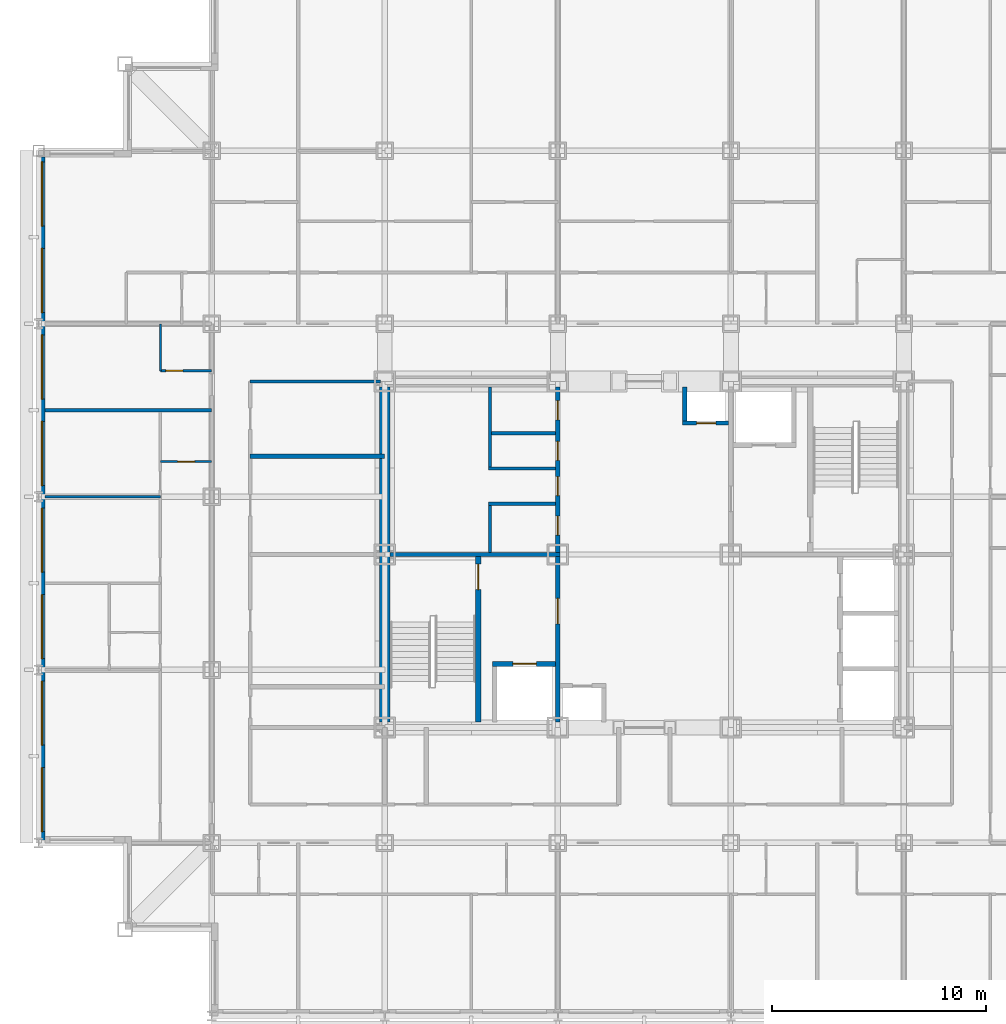
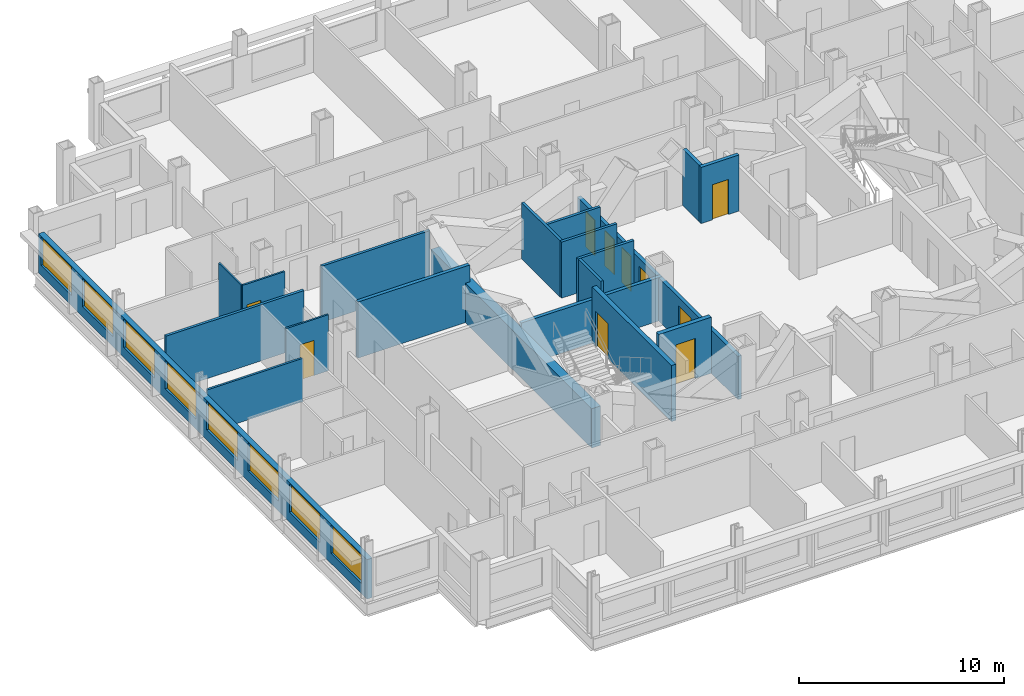
# One storey, part 6 of 12: 21 walls, 10 doors, 8 windows, 18 openings.
"""IFC4 building model written with IfcOpenShell, lengths in metres."""

import ifcopenshell
import ifcopenshell.guid

model = None  # the IFC model being written
_history = None  # IfcOwnerHistory: only IFC2X3 demands one
_inside = {}  # id of a spatial element -> (the spatial element, [elements in it])
_under = {}  # id of a project, library or spatial element -> (it, [spatial elements below it])
_declared = {}  # id of a project -> (the project, [libraries it declares])
_typed = {}  # id of a type object -> (the type object, [elements of that type])
_made_of = {}  # id of a material, layer set ... -> (it, [elements and type objects made of it])


def new_model(schema):
    """Start an empty IFC model of exactly this schema.

    Asked for "IFC4X3", IfcOpenShell would pick the latest addendum, in which some entities
    have other attributes; the version numbers below select the first issue.
    IFC2X3 requires an IfcOwnerHistory on every rooted entity: one is made here for all.
    """
    global model, _history
    if schema == "IFC4X3":
        model = ifcopenshell.file(schema_version=(4, 3, 0, 0))
    else:
        model = ifcopenshell.file(schema=schema)
    _inside.clear()
    _under.clear()
    _declared.clear()
    _typed.clear()
    _made_of.clear()
    _history = None
    if model.schema == "IFC2X3":
        org = make("IfcOrganization", Name="unknown")
        user = make(
            "IfcPersonAndOrganization",
            ThePerson=make("IfcPerson", FamilyName="unknown"),
            TheOrganization=org,
        )
        app = make(
            "IfcApplication",
            ApplicationDeveloper=org,
            Version="unknown",
            ApplicationFullName="unknown",
            ApplicationIdentifier="unknown",
        )
        _history = make(
            "IfcOwnerHistory",
            OwningUser=user,
            OwningApplication=app,
            ChangeAction="ADDED",
            CreationDate=0,
        )
    return model


def make(cls, **values):
    """One entity of the class cls with the attributes given. An attribute that is None is left unset."""
    return model.create_entity(
        cls, **{name: value for name, value in values.items() if value is not None}
    )


def rooted(cls, **values):
    """An entity with a GlobalId (a new one), such as an element, a storey or a relation."""
    return make(cls, GlobalId=ifcopenshell.guid.new(), OwnerHistory=_history, **values)


def si_unit(unit_type, name, prefix=None):
    """IfcSIUnit, for example si_unit("LENGTHUNIT", "METRE", prefix="MILLI")."""
    return make("IfcSIUnit", UnitType=unit_type, Prefix=prefix, Name=name)


def assignment(units):
    """IfcUnitAssignment: the units of a project."""
    return None if units is None else make("IfcUnitAssignment", Units=units)


def point(xyz):
    """IfcCartesianPoint."""
    return None if xyz is None else make("IfcCartesianPoint", Coordinates=xyz)


def direction(xyz):
    """IfcDirection."""
    return None if xyz is None else make("IfcDirection", DirectionRatios=xyz)


def frame(location, z_axis=None, x_axis=None):
    """IfcAxis2Placement3D, a coordinate frame: its origin and axes. An axis left out is left unset."""
    return make(
        "IfcAxis2Placement3D",
        Location=point(location),
        Axis=direction(z_axis),
        RefDirection=direction(x_axis),
    )


def frame_2d(location, x_axis=None):
    """IfcAxis2Placement2D, a coordinate frame in the plane: its origin and x axis."""
    return make(
        "IfcAxis2Placement2D", Location=point(location), RefDirection=direction(x_axis)
    )


def origin():
    """The frame at (0, 0, 0) with its axes left unset."""
    return frame((0.0, 0.0, 0.0))


def place(relative_to, where):
    """IfcLocalPlacement: puts the frame where relative to a parent placement (None: the world)."""
    return make(
        "IfcLocalPlacement", PlacementRelTo=relative_to, RelativePlacement=where
    )


def context(
    kind, dimensions, precision=None, world=None, true_north=None, identifier=None
):
    """IfcGeometricRepresentationContext, for example the 3D "Model" context."""
    return make(
        "IfcGeometricRepresentationContext",
        ContextIdentifier=identifier,
        ContextType=kind,
        CoordinateSpaceDimension=dimensions,
        Precision=precision,
        WorldCoordinateSystem=world,
        TrueNorth=true_north,
    )


def subcontext(parent, identifier, kind, view, scale=None):
    """IfcGeometricRepresentationSubContext, for example "Body" below "Model"."""
    return make(
        "IfcGeometricRepresentationSubContext",
        ContextIdentifier=identifier,
        ContextType=kind,
        ParentContext=parent,
        TargetScale=scale,
        TargetView=view,
    )


def project(units=None, contexts=None):
    """IfcProject with its units and contexts."""
    return rooted(
        "IfcProject",
        Name="project",
        RepresentationContexts=contexts,
        UnitsInContext=assignment(units),
    )


def spatial(cls, under=None, at=None, **own):
    """A site, building, storey or space (cls), placed at a placement, below another one or the project."""
    s = rooted(cls, ObjectPlacement=at, **own)
    if under is not None:
        _under.setdefault(under.id(), (under, []))[1].append(s)
    return s


def profile(cls, at=None, kind="AREA", **sizes):
    """A parametric profile (cls). Its sizes go by their IFC names, for example OverallWidth=200.0."""
    return make(cls, ProfileType=kind, Position=at, **sizes)


def rectangle(**sizes):
    """IfcRectangleProfileDef."""
    return profile("IfcRectangleProfileDef", **sizes)


def extrude(swept, where, along, depth):
    """IfcExtrudedAreaSolid: the profile swept, set in the frame where, extruded along a direction by depth."""
    return make(
        "IfcExtrudedAreaSolid",
        SweptArea=swept,
        Position=where,
        ExtrudedDirection=direction(along),
        Depth=depth,
    )


def shape(context_of_items, identifier, shape_type, items):
    """IfcShapeRepresentation: the items that make up one representation, for example the "Body"."""
    return make(
        "IfcShapeRepresentation",
        ContextOfItems=context_of_items,
        RepresentationIdentifier=identifier,
        RepresentationType=shape_type,
        Items=items,
    )


def material(Name=None, Category=None):
    """IfcMaterial."""
    return make("IfcMaterial", Name=Name, Category=Category)


def layer(
    of_material, thickness, ventilated=None, Name=None, Category=None, Priority=None
):
    """IfcMaterialLayer: one layer of a wall or slab, of a material (None: an air gap)."""
    return make(
        "IfcMaterialLayer",
        Material=of_material,
        LayerThickness=thickness,
        IsVentilated=ventilated,
        Name=Name,
        Category=Category,
        Priority=Priority,
    )


def layer_set(layers, Name=None):
    """IfcMaterialLayerSet."""
    return make("IfcMaterialLayerSet", MaterialLayers=layers, LayerSetName=Name)


def made_of(thing, what):
    """Note that an element or type object is made of a material, layer set ...; save() writes the relation."""
    if what is not None:
        _made_of.setdefault(what.id(), (what, []))[1].append(thing)
    return thing


def type_object(cls, material=None, **own):
    """A type object (cls), such as IfcWallType, which elements share."""
    return made_of(rooted(cls, **own), material)


def element(
    cls,
    number,
    at=None,
    inside=None,
    cuts=None,
    type_object=None,
    material=None,
    context=None,
    identifier="Body",
    shape_type=None,
    held_by="IfcProductDefinitionShape",
    body=None,
    shapes=None,
    **own,
):
    """One element of the class cls, such as IfcWall. Its Tag is "e" and its number.

    at: its placement. inside: the storey or other place that contains it. cuts: it is an
    opening in that element (IfcRelVoidsElement). A single representation is given by context,
    identifier, shape_type and body (its items); several are given by shapes. held_by: the class
    of the entity that holds the representations. save() writes the other relations.
    """
    e = rooted(cls, Tag="e%d" % number, ObjectPlacement=at, **own)
    if body is not None:
        shapes = [shape(context, identifier, shape_type, body)]
    if shapes is not None:
        e.Representation = make(held_by, Representations=shapes)
    if inside is not None:
        _inside.setdefault(inside.id(), (inside, []))[1].append(e)
    if cuts is not None:
        rooted(
            "IfcRelVoidsElement", RelatingBuildingElement=cuts, RelatedOpeningElement=e
        )
    if type_object is not None:
        _typed.setdefault(type_object.id(), (type_object, []))[1].append(e)
    return made_of(e, material)


def fill(opening, filler):
    """IfcRelFillsElement: the door or window that sits in an opening."""
    return rooted(
        "IfcRelFillsElement",
        RelatingOpeningElement=opening,
        RelatedBuildingElement=filler,
    )


def aggregate(whole, parts):
    """IfcRelAggregates: a whole, such as a stair, and the parts it consists of."""
    return rooted("IfcRelAggregates", RelatingObject=whole, RelatedObjects=parts)


def save(model, path):
    """Write the relations noted so far, then the file.

    IfcRelAggregates (storeys below a building ...), IfcRelContainedInSpatialStructure (elements
    in a storey), IfcRelDefinesByType, IfcRelAssociatesMaterial and IfcRelDeclares: one each for
    every whole, place, type object, material and project.
    """
    for whole, parts in _under.values():
        aggregate(whole, parts)
    for where, things in _inside.values():
        rooted(
            "IfcRelContainedInSpatialStructure",
            RelatedElements=things,
            RelatingStructure=where,
        )
    for kind, things in _typed.values():
        rooted("IfcRelDefinesByType", RelatedObjects=things, RelatingType=kind)
    for what, things in _made_of.values():
        rooted("IfcRelAssociatesMaterial", RelatedObjects=things, RelatingMaterial=what)
    for by, libraries in _declared.values():
        rooted("IfcRelDeclares", RelatingContext=by, RelatedDefinitions=libraries)
    model.write(path)


model = new_model("IFC4")

# Units and contexts
model_context = context("Model", 3, precision=1e-05, world=origin(), true_north=direction((0.0, 1.0)))
body_context = subcontext(model_context, "Body", "Model", "MODEL_VIEW")
ifc_project = project(units=[si_unit("LENGTHUNIT", "METRE"), si_unit("AREAUNIT", "SQUARE_METRE"), si_unit("VOLUMEUNIT", "CUBIC_METRE"), si_unit("PLANEANGLEUNIT", "RADIAN"), si_unit("MASSUNIT", "GRAM", prefix="KILO")], contexts=[model_context])

# Site, building, storey
site_placement = place(None, origin())
site = spatial("IfcSite", under=ifc_project, at=site_placement, CompositionType="ELEMENT")
building_placement = place(site_placement, origin())
building = spatial("IfcBuilding", under=site, at=building_placement, Name="Kopane Lantern Tower", CompositionType="ELEMENT")
storey_placement = place(building_placement, frame((0.0, 0.0, 231.60009765625)))
storey = spatial("IfcBuildingStorey", under=building, at=storey_placement, Name="L60", CompositionType="ELEMENT", Elevation=231.60009765625)

# Wall
ifc_material_1 = material(Name="Gypsum board on steel studs", Category="steel")
ifc_layer_1 = layer(ifc_material_1, 0.1201171875)
ifc_layer_set_1 = layer_set([ifc_layer_1], Name="APARTMENT INTERNAL WALL 120")
wall_type_1 = type_object("IfcWallType", Name="APARTMENT INTERNAL WALL 120", PredefinedType="PARTITIONING", material=ifc_layer_set_1)
wall_1_placement = place(storey_placement, frame((5.699951171875, 35.10009765625, 0.0), z_axis=(0.0, 0.0, 1.0), x_axis=(-1.0, 0.0, 0.0)))
element("IfcWall", 1, at=wall_1_placement, inside=storey, type_object=wall_type_1, Name="Apartment Internal Wall 120 L60", PredefinedType="PARTITIONING", context=body_context, shape_type="SweptSolid", body=[
    extrude(rectangle(XDim=5.39990234375, YDim=0.1201171875, at=frame_2d((2.699951171875, 0.0))), origin(), (0.0, 0.0, 1.0), 2.587646484375),
])

# Wall, opening, door
ifc_material_2 = material(Name="Moisture-resistant board on steel studs", Category="steel")
ifc_layer_2 = layer(ifc_material_2, 0.10009765625)
ifc_layer_set_2 = layer_set([ifc_layer_2], Name="BATHROOM WALL 100")
wall_type_2 = type_object("IfcWallType", Name="BATHROOM WALL 100", PredefinedType="PARTITIONING", material=ifc_layer_set_2)
wall_2_placement = place(storey_placement, frame((8.10009765625, 36.75, 0.0), z_axis=(0.0, 0.0, 1.0), x_axis=(-1.0, 0.0, 0.0)))
wall_2 = element("IfcWall", 2, at=wall_2_placement, inside=storey, type_object=wall_type_2, Name="Bathroom Wall 100 L60", PredefinedType="PARTITIONING", context=body_context, shape_type="SweptSolid", body=[
    extrude(rectangle(XDim=2.400146484375, YDim=0.10009765625, at=frame_2d((1.2001953125, 0.0))), origin(), (0.0, 0.0, 1.0), 3.349853515625),
])
opening_1_placement = place(wall_2_placement, frame((0.800048828125, 0.0, 0.0)))
opening_1 = element("IfcOpeningElement", 3, at=opening_1_placement, cuts=wall_2, Name="Opening L60-032", PredefinedType="OPENING", context=body_context, shape_type="SweptSolid", body=[
    extrude(rectangle(XDim=0.800048828125, YDim=2.10009765625, at=frame_2d((0.39990234375, 1.050048828125))), frame((0.0, 0.06005859375, 0.0), z_axis=(0.0, -1.0, 0.0), x_axis=(1.0, 0.0, 0.0)), (0.0, 0.0, 1.0), 0.1201171875),
])
ifc_material_3 = material(Name="Timber door set", Category="wood")
door_type_1 = type_object("IfcDoorType", Name="DOOR D2 800x2100", OperationType="SINGLE_SWING_LEFT", PredefinedType="DOOR", material=ifc_material_3)
door_1_placement = place(opening_1_placement, origin())
door_1 = element("IfcDoor", 4, at=door_1_placement, inside=storey, type_object=door_type_1, Name="Door L60-032", OperationType="SINGLE_SWING_RIGHT", OverallHeight=2.10009765625, OverallWidth=0.800048828125, PredefinedType="DOOR", context=body_context, shape_type="SweptSolid", body=[
    extrude(rectangle(XDim=0.800048828125, YDim=2.10009765625, at=frame_2d((0.39990234375, 1.050048828125))), frame((0.0, 0.02490234375, 0.0), z_axis=(0.0, -1.0, 0.0), x_axis=(1.0, 0.0, 0.0)), (0.0, 0.0, 1.0), 0.050048828125),
])
fill(opening_1, door_1)

# Wall
wall_3_placement = place(storey_placement, frame((5.699951171875, 41.0, 0.0), z_axis=(0.0, 0.0, 1.0), x_axis=(0.0, 1.0, 0.0)))
element("IfcWall", 5, at=wall_3_placement, inside=storey, type_object=wall_type_2, Name="Bathroom Wall 100 L60", PredefinedType="PARTITIONING", context=body_context, shape_type="SweptSolid", body=[
    extrude(rectangle(XDim=2.199951171875, YDim=0.10009765625, at=frame_2d((1.10009765625, 0.0))), origin(), (0.0, 0.0, 1.0), 3.349853515625),
])

# Wall, opening, door
wall_4_placement = place(storey_placement, frame((8.10009765625, 41.0, 0.0), z_axis=(0.0, 0.0, 1.0), x_axis=(-1.0, 0.0, 0.0)))
wall_4 = element("IfcWall", 6, at=wall_4_placement, inside=storey, type_object=wall_type_2, Name="Bathroom Wall 100 L60", PredefinedType="PARTITIONING", context=body_context, shape_type="SweptSolid", body=[
    extrude(rectangle(XDim=2.400146484375, YDim=0.10009765625, at=frame_2d((1.2001953125, 0.0))), origin(), (0.0, 0.0, 1.0), 3.349853515625),
])
opening_2_placement = place(wall_4_placement, frame((1.35009765625, 0.0, 0.0)))
opening_2 = element("IfcOpeningElement", 7, at=opening_2_placement, cuts=wall_4, Name="Opening L60-039", PredefinedType="OPENING", context=body_context, shape_type="SweptSolid", body=[
    extrude(rectangle(XDim=0.800048828125, YDim=2.10009765625, at=frame_2d((0.39990234375, 1.050048828125))), frame((0.0, 0.06005859375, 0.0), z_axis=(0.0, -1.0, 0.0), x_axis=(1.0, 0.0, 0.0)), (0.0, 0.0, 1.0), 0.1201171875),
])
door_2_placement = place(opening_2_placement, origin())
door_2 = element("IfcDoor", 8, at=door_2_placement, inside=storey, type_object=door_type_1, Name="Door L60-039", OperationType="SINGLE_SWING_LEFT", OverallHeight=2.10009765625, OverallWidth=0.800048828125, PredefinedType="DOOR", context=body_context, shape_type="SweptSolid", body=[
    extrude(rectangle(XDim=0.800048828125, YDim=2.10009765625, at=frame_2d((0.39990234375, 1.050048828125))), frame((0.0, 0.02490234375, 0.0), z_axis=(0.0, -1.0, 0.0), x_axis=(1.0, 0.0, 0.0)), (0.0, 0.0, 1.0), 0.050048828125),
])
fill(opening_2, door_2)

# Walls
ifc_material_4 = material(Name="Gypsum shaft wall EI 120", Category="gypsum")
ifc_layer_3 = layer(ifc_material_4, 0.5)
ifc_layer_set_3 = layer_set([ifc_layer_3], Name="CORE PERIMETER WALL 500 EI 120")
wall_type_3 = type_object("IfcWallType", Name="CORE PERIMETER WALL 500 EI 120", PredefinedType="SOLIDWALL", material=ifc_layer_set_3)
wall_5_placement = place(storey_placement, frame((16.199951171875, 24.550048828125, 0.0), z_axis=(0.0, 0.0, 1.0), x_axis=(0.0, 1.0, 0.0)))
element("IfcWall", 9, at=wall_5_placement, inside=storey, type_object=wall_type_3, Name="Core shaft wall L60 PW", PredefinedType="SOLIDWALL", context=body_context, shape_type="SweptSolid", body=[
    extrude(rectangle(XDim=15.699951171875, YDim=0.5, at=frame_2d((7.85009765625, 0.0))), origin(), (0.0, 0.0, 1.0), 2.349853515625),
])
ifc_material_5 = material(Name="Gypsum partition EI 60", Category="gypsum")
ifc_layer_4 = layer(ifc_material_5, 0.14990234375)
ifc_layer_set_4 = layer_set([ifc_layer_4], Name="CORE ROOM PARTITION 150 EI 60")
wall_type_4 = type_object("IfcWallType", Name="CORE ROOM PARTITION 150 EI 60", PredefinedType="PARTITIONING", material=ifc_layer_set_4)
for number, where, z_axis, x_axis, name in (
    (10, (21.050048828125, 34.77490234375, 0.0), (0.0, 0.0, 1.0), (1.0, 0.0, 0.0), "Core room partition L60 WW1"),
    (11, (21.050048828125, 36.425048828125, 0.0), (0.0, 0.0, 1.0), (1.0, 0.0, 0.0), "Core room partition L60 WW2"),
):
    element("IfcWall", number, at=place(storey_placement, frame(where, z_axis=z_axis, x_axis=x_axis)), inside=storey, type_object=wall_type_4, Name=name, PredefinedType="PARTITIONING", context=body_context, shape_type="SweptSolid", body=[
        extrude(rectangle(XDim=3.14990234375, YDim=0.14990234375, at=frame_2d((1.574951171875, 0.0))), origin(), (0.0, 0.0, 1.0), 3.349853515625),
    ])
wall_6_placement = place(storey_placement, frame((21.199951171875, 38.074951171875, 0.0), z_axis=(0.0, 0.0, 1.0), x_axis=(1.0, 0.0, 0.0)))
element("IfcWall", 12, at=wall_6_placement, inside=storey, type_object=wall_type_4, Name="Core room partition L60 WW3", PredefinedType="PARTITIONING", context=body_context, shape_type="SweptSolid", body=[
    extrude(rectangle(XDim=3.0, YDim=0.14990234375, at=frame_2d((1.5, 0.0))), origin(), (0.0, 0.0, 1.0), 3.349853515625),
])
wall_7_placement = place(storey_placement, frame((21.125, 32.5, 0.0), z_axis=(0.0, 0.0, 1.0), x_axis=(0.0, 1.0, 0.0)))
element("IfcWall", 13, at=wall_7_placement, inside=storey, type_object=wall_type_4, Name="Core room partition L60 WWB0", PredefinedType="PARTITIONING", context=body_context, shape_type="SweptSolid", body=[
    extrude(rectangle(XDim=2.199951171875, YDim=0.14990234375, at=frame_2d((1.10009765625, 0.0))), origin(), (0.0, 0.0, 1.0), 3.349853515625),
])
wall_8_placement = place(storey_placement, frame((21.125, 36.5, 0.0), z_axis=(0.0, 0.0, 1.0), x_axis=(0.0, 1.0, 0.0)))
element("IfcWall", 14, at=wall_8_placement, inside=storey, type_object=wall_type_4, Name="Core room partition L60 WWB1", PredefinedType="PARTITIONING", context=body_context, shape_type="SweptSolid", body=[
    extrude(rectangle(XDim=3.75, YDim=0.14990234375, at=frame_2d((1.875, 0.0))), origin(), (0.0, 0.0, 1.0), 3.349853515625),
])

# Wall, openings, doors
ifc_material_6 = material(Name="Gypsum partition EI 60", Category="gypsum")
ifc_layer_5 = layer(ifc_material_6, 0.199951171875)
ifc_layer_set_5 = layer_set([ifc_layer_5], Name="CORE ROOM WALL 200 EI 60")
wall_type_5 = type_object("IfcWallType", Name="CORE ROOM WALL 200 EI 60", PredefinedType="PARTITIONING", material=ifc_layer_set_5)
wall_9_placement = place(storey_placement, frame((24.300048828125, 32.5, 0.0), z_axis=(0.0, 0.0, 1.0), x_axis=(0.0, 1.0, 0.0)))
wall_9 = element("IfcWall", 15, at=wall_9_placement, inside=storey, type_object=wall_type_5, Name="Core room wall L60 XW", PredefinedType="PARTITIONING", context=body_context, shape_type="SweptSolid", body=[
    extrude(rectangle(XDim=7.75, YDim=0.199951171875, at=frame_2d((3.875, 0.0))), origin(), (0.0, 0.0, 1.0), 2.587646484375),
])
opening_3_placement = place(wall_9_placement, frame((0.800048828125, 0.0, 0.0)))
opening_3 = element("IfcOpeningElement", 16, at=opening_3_placement, cuts=wall_9, Name="Opening 60.C30", PredefinedType="OPENING", context=body_context, shape_type="SweptSolid", body=[
    extrude(rectangle(XDim=0.89990234375, YDim=2.10009765625, at=frame_2d((0.449951171875, 1.050048828125))), frame((0.0, 0.10986328125, 0.0), z_axis=(0.0, -1.0, 0.0), x_axis=(1.0, 0.0, 0.0)), (0.0, 0.0, 1.0), 0.219970703125),
])
opening_4_placement = place(wall_9_placement, frame((2.64990234375, 0.0, 0.0)))
opening_4 = element("IfcOpeningElement", 17, at=opening_4_placement, cuts=wall_9, Name="Opening 60.C31", PredefinedType="OPENING", context=body_context, shape_type="SweptSolid", body=[
    extrude(rectangle(XDim=0.89990234375, YDim=2.10009765625, at=frame_2d((0.449951171875, 1.050048828125))), frame((0.0, 0.10986328125, 0.0), z_axis=(0.0, -1.0, 0.0), x_axis=(1.0, 0.0, 0.0)), (0.0, 0.0, 1.0), 0.219970703125),
])
opening_5_placement = place(wall_9_placement, frame((4.300048828125, 0.0, 0.0)))
opening_5 = element("IfcOpeningElement", 18, at=opening_5_placement, cuts=wall_9, Name="Opening 60.C32", PredefinedType="OPENING", context=body_context, shape_type="SweptSolid", body=[
    extrude(rectangle(XDim=0.89990234375, YDim=2.10009765625, at=frame_2d((0.449951171875, 1.050048828125))), frame((0.0, 0.10986328125, 0.0), z_axis=(0.0, -1.0, 0.0), x_axis=(1.0, 0.0, 0.0)), (0.0, 0.0, 1.0), 0.219970703125),
])
opening_6_placement = place(wall_9_placement, frame((6.199951171875, 0.0, 0.0)))
opening_6 = element("IfcOpeningElement", 19, at=opening_6_placement, cuts=wall_9, Name="Opening 60.C33", PredefinedType="OPENING", context=body_context, shape_type="SweptSolid", body=[
    extrude(rectangle(XDim=0.89990234375, YDim=2.10009765625, at=frame_2d((0.449951171875, 1.050048828125))), frame((0.0, 0.10986328125, 0.0), z_axis=(0.0, -1.0, 0.0), x_axis=(1.0, 0.0, 0.0)), (0.0, 0.0, 1.0), 0.219970703125),
])
ifc_material_7 = material(Name="Steel door set", Category="steel")
door_type_2 = type_object("IfcDoorType", Name="CORE ROOM DOOR 900x2100 FD60", OperationType="SINGLE_SWING_LEFT", PredefinedType="DOOR", material=ifc_material_7)
door_3_placement = place(opening_3_placement, origin())
door_3 = element("IfcDoor", 20, at=door_3_placement, inside=storey, type_object=door_type_2, Name="Door Refuse room L60", OperationType="SINGLE_SWING_RIGHT", OverallHeight=2.10009765625, OverallWidth=0.89990234375, PredefinedType="DOOR", context=body_context, shape_type="SweptSolid", body=[
    extrude(rectangle(XDim=0.89990234375, YDim=2.10009765625, at=frame_2d((0.449951171875, 1.050048828125))), frame((0.0, 0.02490234375, 0.0), z_axis=(0.0, -1.0, 0.0), x_axis=(1.0, 0.0, 0.0)), (0.0, 0.0, 1.0), 0.050048828125),
])
fill(opening_3, door_3)
door_4_placement = place(opening_4_placement, origin())
door_4 = element("IfcDoor", 21, at=door_4_placement, inside=storey, type_object=door_type_2, Name="Door Residents storage L60", OperationType="SINGLE_SWING_RIGHT", OverallHeight=2.10009765625, OverallWidth=0.89990234375, PredefinedType="DOOR", context=body_context, shape_type="SweptSolid", body=[
    extrude(rectangle(XDim=0.89990234375, YDim=2.10009765625, at=frame_2d((0.449951171875, 1.050048828125))), frame((0.0, 0.02490234375, 0.0), z_axis=(0.0, -1.0, 0.0), x_axis=(1.0, 0.0, 0.0)), (0.0, 0.0, 1.0), 0.050048828125),
])
fill(opening_4, door_4)
door_5_placement = place(opening_5_placement, origin())
door_5 = element("IfcDoor", 22, at=door_5_placement, inside=storey, type_object=door_type_2, Name="Door Cleaner store L60", OperationType="SINGLE_SWING_LEFT", OverallHeight=2.10009765625, OverallWidth=0.89990234375, PredefinedType="DOOR", context=body_context, shape_type="SweptSolid", body=[
    extrude(rectangle(XDim=0.89990234375, YDim=2.10009765625, at=frame_2d((0.449951171875, 1.050048828125))), frame((0.0, 0.02490234375, 0.0), z_axis=(0.0, -1.0, 0.0), x_axis=(1.0, 0.0, 0.0)), (0.0, 0.0, 1.0), 0.050048828125),
])
fill(opening_5, door_5)
door_6_placement = place(opening_6_placement, origin())
door_6 = element("IfcDoor", 23, at=door_6_placement, inside=storey, type_object=door_type_2, Name="Door IT room L60", OperationType="SINGLE_SWING_LEFT", OverallHeight=2.10009765625, OverallWidth=0.89990234375, PredefinedType="DOOR", context=body_context, shape_type="SweptSolid", body=[
    extrude(rectangle(XDim=0.89990234375, YDim=2.10009765625, at=frame_2d((0.449951171875, 1.050048828125))), frame((0.0, 0.02490234375, 0.0), z_axis=(0.0, -1.0, 0.0), x_axis=(1.0, 0.0, 0.0)), (0.0, 0.0, 1.0), 0.050048828125),
])
fill(opening_6, door_6)

# Wall, opening, door
ifc_material_8 = material(Name="Gypsum shaft wall EI 120", Category="gypsum")
ifc_layer_6 = layer(ifc_material_8, 0.25)
ifc_layer_set_6 = layer_set([ifc_layer_6], Name="CORE SHAFT WALL 250 EI 120")
wall_type_6 = type_object("IfcWallType", Name="CORE SHAFT WALL 250 EI 120", PredefinedType="SOLIDWALL", material=ifc_layer_set_6)
wall_10_placement = place(storey_placement, frame((20.574951171875, 24.550048828125, 0.0), z_axis=(0.0, 0.0, 1.0), x_axis=(0.0, 1.0, 0.0)))
wall_10 = element("IfcWall", 24, at=wall_10_placement, inside=storey, type_object=wall_type_6, Name="Core shaft wall L60 XST1", PredefinedType="SOLIDWALL", context=body_context, shape_type="SweptSolid", body=[
    extrude(rectangle(XDim=7.75, YDim=0.25, at=frame_2d((3.875, 0.0))), origin(), (0.0, 0.0, 1.0), 3.349853515625),
])
opening_7_placement = place(wall_10_placement, frame((6.199951171875, 0.0, 0.0)))
opening_7 = element("IfcOpeningElement", 25, at=opening_7_placement, cuts=wall_10, Name="Opening 60.SD1", PredefinedType="OPENING", context=body_context, shape_type="SweptSolid", body=[
    extrude(rectangle(XDim=1.199951171875, YDim=2.10009765625, at=frame_2d((0.60009765625, 1.050048828125))), frame((0.0, 0.135009765625, 0.0), z_axis=(0.0, -1.0, 0.0), x_axis=(1.0, 0.0, 0.0)), (0.0, 0.0, 1.0), 0.27001953125),
])
ifc_material_9 = material(Name="Steel door set", Category="steel")
door_type_3 = type_object("IfcDoorType", Name="STAIR DOOR 1200x2100 FD60S", OperationType="SINGLE_SWING_LEFT", PredefinedType="DOOR", material=ifc_material_9)
door_7_placement = place(opening_7_placement, origin())
door_7 = element("IfcDoor", 26, at=door_7_placement, inside=storey, type_object=door_type_3, Name="Stair door ST1 L60", OperationType="SINGLE_SWING_LEFT", OverallHeight=2.10009765625, OverallWidth=1.199951171875, PredefinedType="DOOR", context=body_context, shape_type="SweptSolid", body=[
    extrude(rectangle(XDim=1.199951171875, YDim=2.10009765625, at=frame_2d((0.60009765625, 1.050048828125))), frame((0.0, 0.02490234375, 0.0), z_axis=(0.0, -1.0, 0.0), x_axis=(1.0, 0.0, 0.0)), (0.0, 0.0, 1.0), 0.050048828125),
])
fill(opening_7, door_7)

wall_11_placement = place(storey_placement, frame((21.25, 27.27490234375, 0.0), z_axis=(0.0, 0.0, 1.0), x_axis=(1.0, 0.0, 0.0)))
wall_11 = element("IfcWall", 27, at=wall_11_placement, inside=storey, type_object=wall_type_6, Name="Core shaft wall L60 YLF1", PredefinedType="SOLIDWALL", context=body_context, shape_type="SweptSolid", body=[
    extrude(rectangle(XDim=2.949951171875, YDim=0.25, at=frame_2d((1.47509765625, 0.0))), origin(), (0.0, 0.0, 1.0), 3.349853515625),
])
opening_8_placement = place(wall_11_placement, frame((0.949951171875, 0.0, 0.0)))
opening_8 = element("IfcOpeningElement", 28, at=opening_8_placement, cuts=wall_11, Name="Opening 60.LD-LF1", PredefinedType="OPENING", context=body_context, shape_type="SweptSolid", body=[
    extrude(rectangle(XDim=1.10009765625, YDim=2.39990234375, at=frame_2d((0.550048828125, 1.199951171875))), frame((0.0, 0.135009765625, 0.0), z_axis=(0.0, -1.0, 0.0), x_axis=(1.0, 0.0, 0.0)), (0.0, 0.0, 1.0), 0.27001953125),
])
ifc_material_10 = material(Name="Steel door set", Category="steel")
door_type_4 = type_object("IfcDoorType", Name="LIFT LANDING DOOR 1100x2400 FD60", OperationType="DOUBLE_DOOR_SLIDING", PredefinedType="DOOR", material=ifc_material_10)
door_8_placement = place(opening_8_placement, origin())
door_8 = element("IfcDoor", 29, at=door_8_placement, inside=storey, type_object=door_type_4, Name="Landing door LF1 L60", OperationType="DOUBLE_DOOR_SLIDING", OverallHeight=2.39990234375, OverallWidth=1.10009765625, PredefinedType="DOOR", context=body_context, shape_type="SweptSolid", body=[
    extrude(rectangle(XDim=1.10009765625, YDim=2.39990234375, at=frame_2d((0.550048828125, 1.199951171875))), frame((0.0, 0.02490234375, 0.0), z_axis=(0.0, -1.0, 0.0), x_axis=(1.0, 0.0, 0.0)), (0.0, 0.0, 1.0), 0.050048828125),
])
fill(opening_8, door_8)

# Walls
ifc_material_11 = material(Name="Gypsum board on steel studs", Category="steel")
ifc_layer_7 = layer(ifc_material_11, 0.14990234375)
ifc_layer_set_7 = layer_set([ifc_layer_7], Name="CORRIDOR WALL 150 EI 60")
wall_type_7 = type_object("IfcWallType", Name="CORRIDOR WALL 150 EI 60", PredefinedType="PARTITIONING", material=ifc_layer_set_7)
wall_12_placement = place(storey_placement, frame((16.0, 40.5, 0.0), z_axis=(0.0, 0.0, 1.0), x_axis=(-1.0, 0.0, 0.0)))
element("IfcWall", 30, at=wall_12_placement, inside=storey, type_object=wall_type_7, Name="Corridor Wall 150 Ei 60 L60", PredefinedType="PARTITIONING", context=body_context, shape_type="SweptSolid", body=[
    extrude(rectangle(XDim=6.10009765625, YDim=0.14990234375, at=frame_2d((3.050048828125, 0.0))), origin(), (0.0, 0.0, 1.0), 3.349853515625),
])
ifc_material_12 = material(Name="Gypsum board on steel studs", Category="steel")
ifc_layer_8 = layer(ifc_material_12, 0.14990234375)
ifc_layer_set_8 = layer_set([ifc_layer_8], Name="DEMISING WALL 150 EI 60")
wall_type_8 = type_object("IfcWallType", Name="DEMISING WALL 150 EI 60", PredefinedType="PARTITIONING", material=ifc_layer_set_8)
wall_13_placement = place(storey_placement, frame((8.10009765625, 39.14990234375, 0.0), z_axis=(0.0, 0.0, 1.0), x_axis=(-1.0, 0.0, 0.0)))
element("IfcWall", 31, at=wall_13_placement, inside=storey, type_object=wall_type_8, Name="Demising Wall 150 Ei 60 L60", PredefinedType="PARTITIONING", context=body_context, shape_type="SweptSolid", body=[
    extrude(rectangle(XDim=7.800048828125, YDim=0.14990234375, at=frame_2d((3.89990234375, 0.0))), origin(), (0.0, 0.0, 1.0), 3.349853515625),
])

# Wall, openings, windows
ifc_material_13 = material(Name="Terracotta rainscreen on light steel framing", Category="masonry")
ifc_layer_9 = layer(ifc_material_13, 0.300048828125)
ifc_layer_set_9 = layer_set([ifc_layer_9], Name="EXTERNAL WALL EW1 300 TERRACOTTA")
wall_type_9 = type_object("IfcWallType", Name="EXTERNAL WALL EW1 300 TERRACOTTA", PredefinedType="SOLIDWALL", material=ifc_layer_set_9)
wall_14_placement = place(storey_placement, frame((0.14990234375, 51.0, 0.0), z_axis=(0.0, 0.0, 1.0), x_axis=(0.0, -1.0, 0.0)))
wall_14 = element("IfcWall", 32, at=wall_14_placement, inside=storey, type_object=wall_type_9, Name="External wall W L60", PredefinedType="SOLIDWALL", context=body_context, shape_type="SweptSolid", body=[
    extrude(rectangle(XDim=32.10009765625, YDim=0.300048828125, at=frame_2d((16.050048828125, 0.0))), origin(), (0.0, 0.0, 1.0), 2.349853515625),
])
opening_9_placement = place(wall_14_placement, frame((0.22509765625, 0.0, 0.60009765625)))
opening_9 = element("IfcOpeningElement", 33, at=opening_9_placement, cuts=wall_14, Name="Opening WR300170", PredefinedType="OPENING", context=body_context, shape_type="SweptSolid", body=[
    extrude(rectangle(XDim=3.0, YDim=1.699951171875, at=frame_2d((1.5, 0.85009765625))), frame((0.0, 0.159912109375, 0.0), z_axis=(0.0, -1.0, 0.0), x_axis=(1.0, 0.0, 0.0)), (0.0, 0.0, 1.0), 0.320068359375),
])
opening_10_placement = place(wall_14_placement, frame((4.27490234375, 0.0, 0.60009765625)))
opening_10 = element("IfcOpeningElement", 34, at=opening_10_placement, cuts=wall_14, Name="Opening WR300170", PredefinedType="OPENING", context=body_context, shape_type="SweptSolid", body=[
    extrude(rectangle(XDim=3.0, YDim=1.699951171875, at=frame_2d((1.5, 0.85009765625))), frame((0.0, 0.159912109375, 0.0), z_axis=(0.0, -1.0, 0.0), x_axis=(1.0, 0.0, 0.0)), (0.0, 0.0, 1.0), 0.320068359375),
])
opening_11_placement = place(wall_14_placement, frame((8.324951171875, 0.0, 0.60009765625)))
opening_11 = element("IfcOpeningElement", 35, at=opening_11_placement, cuts=wall_14, Name="Opening WR300170", PredefinedType="OPENING", context=body_context, shape_type="SweptSolid", body=[
    extrude(rectangle(XDim=3.0, YDim=1.699951171875, at=frame_2d((1.5, 0.85009765625))), frame((0.0, 0.159912109375, 0.0), z_axis=(0.0, -1.0, 0.0), x_axis=(1.0, 0.0, 0.0)), (0.0, 0.0, 1.0), 0.320068359375),
])
opening_12_placement = place(wall_14_placement, frame((12.375, 0.0, 0.60009765625)))
opening_12 = element("IfcOpeningElement", 36, at=opening_12_placement, cuts=wall_14, Name="Opening WR300170", PredefinedType="OPENING", context=body_context, shape_type="SweptSolid", body=[
    extrude(rectangle(XDim=3.0, YDim=1.699951171875, at=frame_2d((1.5, 0.85009765625))), frame((0.0, 0.159912109375, 0.0), z_axis=(0.0, -1.0, 0.0), x_axis=(1.0, 0.0, 0.0)), (0.0, 0.0, 1.0), 0.320068359375),
])
opening_13_placement = place(wall_14_placement, frame((16.425048828125, 0.0, 0.60009765625)))
opening_13 = element("IfcOpeningElement", 37, at=opening_13_placement, cuts=wall_14, Name="Opening WR300170", PredefinedType="OPENING", context=body_context, shape_type="SweptSolid", body=[
    extrude(rectangle(XDim=3.0, YDim=1.699951171875, at=frame_2d((1.5, 0.85009765625))), frame((0.0, 0.159912109375, 0.0), z_axis=(0.0, -1.0, 0.0), x_axis=(1.0, 0.0, 0.0)), (0.0, 0.0, 1.0), 0.320068359375),
])
opening_14_placement = place(wall_14_placement, frame((20.47509765625, 0.0, 0.60009765625)))
opening_14 = element("IfcOpeningElement", 38, at=opening_14_placement, cuts=wall_14, Name="Opening WR300170", PredefinedType="OPENING", context=body_context, shape_type="SweptSolid", body=[
    extrude(rectangle(XDim=3.0, YDim=1.699951171875, at=frame_2d((1.5, 0.85009765625))), frame((0.0, 0.159912109375, 0.0), z_axis=(0.0, -1.0, 0.0), x_axis=(1.0, 0.0, 0.0)), (0.0, 0.0, 1.0), 0.320068359375),
])
opening_15_placement = place(wall_14_placement, frame((24.52490234375, 0.0, 0.60009765625)))
opening_15 = element("IfcOpeningElement", 39, at=opening_15_placement, cuts=wall_14, Name="Opening WR300170", PredefinedType="OPENING", context=body_context, shape_type="SweptSolid", body=[
    extrude(rectangle(XDim=3.0, YDim=1.699951171875, at=frame_2d((1.5, 0.85009765625))), frame((0.0, 0.159912109375, 0.0), z_axis=(0.0, -1.0, 0.0), x_axis=(1.0, 0.0, 0.0)), (0.0, 0.0, 1.0), 0.320068359375),
])
opening_16_placement = place(wall_14_placement, frame((28.574951171875, 0.0, 0.60009765625)))
opening_16 = element("IfcOpeningElement", 40, at=opening_16_placement, cuts=wall_14, Name="Opening WR300170", PredefinedType="OPENING", context=body_context, shape_type="SweptSolid", body=[
    extrude(rectangle(XDim=3.0, YDim=1.699951171875, at=frame_2d((1.5, 0.85009765625))), frame((0.0, 0.159912109375, 0.0), z_axis=(0.0, -1.0, 0.0), x_axis=(1.0, 0.0, 0.0)), (0.0, 0.0, 1.0), 0.320068359375),
])
ifc_material_14 = material(Name="Aluminium and clear glass", Category="aluminium")
window_type = type_object("IfcWindowType", Name="RIBBON WINDOW WR300170 3000x1700", PartitioningType="SINGLE_PANEL", PredefinedType="WINDOW", material=ifc_material_14)
window_1_placement = place(opening_9_placement, origin())
window_1 = element("IfcWindow", 41, at=window_1_placement, inside=storey, type_object=window_type, Name="Window W L60", OverallHeight=1.699951171875, OverallWidth=3.0, PartitioningType="SINGLE_PANEL", PredefinedType="WINDOW", context=body_context, shape_type="SweptSolid", body=[
    extrude(rectangle(XDim=3.0, YDim=1.699951171875, at=frame_2d((1.5, 0.85009765625))), frame((0.0, 0.030029296875, 0.0), z_axis=(0.0, -1.0, 0.0), x_axis=(1.0, 0.0, 0.0)), (0.0, 0.0, 1.0), 0.06005859375),
])
fill(opening_9, window_1)
window_2_placement = place(opening_10_placement, origin())
window_2 = element("IfcWindow", 42, at=window_2_placement, inside=storey, type_object=window_type, Name="Window W L60", OverallHeight=1.699951171875, OverallWidth=3.0, PartitioningType="SINGLE_PANEL", PredefinedType="WINDOW", context=body_context, shape_type="SweptSolid", body=[
    extrude(rectangle(XDim=3.0, YDim=1.699951171875, at=frame_2d((1.5, 0.85009765625))), frame((0.0, 0.030029296875, 0.0), z_axis=(0.0, -1.0, 0.0), x_axis=(1.0, 0.0, 0.0)), (0.0, 0.0, 1.0), 0.06005859375),
])
fill(opening_10, window_2)
window_3_placement = place(opening_11_placement, origin())
window_3 = element("IfcWindow", 43, at=window_3_placement, inside=storey, type_object=window_type, Name="Window W L60", OverallHeight=1.699951171875, OverallWidth=3.0, PartitioningType="SINGLE_PANEL", PredefinedType="WINDOW", context=body_context, shape_type="SweptSolid", body=[
    extrude(rectangle(XDim=3.0, YDim=1.699951171875, at=frame_2d((1.5, 0.85009765625))), frame((0.0, 0.030029296875, 0.0), z_axis=(0.0, -1.0, 0.0), x_axis=(1.0, 0.0, 0.0)), (0.0, 0.0, 1.0), 0.06005859375),
])
fill(opening_11, window_3)
window_4_placement = place(opening_12_placement, origin())
window_4 = element("IfcWindow", 44, at=window_4_placement, inside=storey, type_object=window_type, Name="Window W L60", OverallHeight=1.699951171875, OverallWidth=3.0, PartitioningType="SINGLE_PANEL", PredefinedType="WINDOW", context=body_context, shape_type="SweptSolid", body=[
    extrude(rectangle(XDim=3.0, YDim=1.699951171875, at=frame_2d((1.5, 0.85009765625))), frame((0.0, 0.030029296875, 0.0), z_axis=(0.0, -1.0, 0.0), x_axis=(1.0, 0.0, 0.0)), (0.0, 0.0, 1.0), 0.06005859375),
])
fill(opening_12, window_4)
window_5_placement = place(opening_13_placement, origin())
window_5 = element("IfcWindow", 45, at=window_5_placement, inside=storey, type_object=window_type, Name="Window W L60", OverallHeight=1.699951171875, OverallWidth=3.0, PartitioningType="SINGLE_PANEL", PredefinedType="WINDOW", context=body_context, shape_type="SweptSolid", body=[
    extrude(rectangle(XDim=3.0, YDim=1.699951171875, at=frame_2d((1.5, 0.85009765625))), frame((0.0, 0.030029296875, 0.0), z_axis=(0.0, -1.0, 0.0), x_axis=(1.0, 0.0, 0.0)), (0.0, 0.0, 1.0), 0.06005859375),
])
fill(opening_13, window_5)
window_6_placement = place(opening_14_placement, origin())
window_6 = element("IfcWindow", 46, at=window_6_placement, inside=storey, type_object=window_type, Name="Window W L60", OverallHeight=1.699951171875, OverallWidth=3.0, PartitioningType="SINGLE_PANEL", PredefinedType="WINDOW", context=body_context, shape_type="SweptSolid", body=[
    extrude(rectangle(XDim=3.0, YDim=1.699951171875, at=frame_2d((1.5, 0.85009765625))), frame((0.0, 0.030029296875, 0.0), z_axis=(0.0, -1.0, 0.0), x_axis=(1.0, 0.0, 0.0)), (0.0, 0.0, 1.0), 0.06005859375),
])
fill(opening_14, window_6)
window_7_placement = place(opening_15_placement, origin())
window_7 = element("IfcWindow", 47, at=window_7_placement, inside=storey, type_object=window_type, Name="Window W L60", OverallHeight=1.699951171875, OverallWidth=3.0, PartitioningType="SINGLE_PANEL", PredefinedType="WINDOW", context=body_context, shape_type="SweptSolid", body=[
    extrude(rectangle(XDim=3.0, YDim=1.699951171875, at=frame_2d((1.5, 0.85009765625))), frame((0.0, 0.030029296875, 0.0), z_axis=(0.0, -1.0, 0.0), x_axis=(1.0, 0.0, 0.0)), (0.0, 0.0, 1.0), 0.06005859375),
])
fill(opening_15, window_7)
window_8_placement = place(opening_16_placement, origin())
window_8 = element("IfcWindow", 48, at=window_8_placement, inside=storey, type_object=window_type, Name="Window W L60", OverallHeight=1.699951171875, OverallWidth=3.0, PartitioningType="SINGLE_PANEL", PredefinedType="WINDOW", context=body_context, shape_type="SweptSolid", body=[
    extrude(rectangle(XDim=3.0, YDim=1.699951171875, at=frame_2d((1.5, 0.85009765625))), frame((0.0, 0.030029296875, 0.0), z_axis=(0.0, -1.0, 0.0), x_axis=(1.0, 0.0, 0.0)), (0.0, 0.0, 1.0), 0.06005859375),
])
fill(opening_16, window_8)

# Walls
ifc_material_15 = material(Name="Concrete masonry", Category="masonry")
ifc_layer_10 = layer(ifc_material_15, 0.199951171875)
ifc_layer_set_10 = layer_set([ifc_layer_10], Name="PLANT ROOM WALL 200 EI 120")
wall_type_10 = type_object("IfcWallType", Name="PLANT ROOM WALL 200 EI 120", PredefinedType="SOLIDWALL", material=ifc_layer_set_10)
wall_15_placement = place(storey_placement, frame((9.89990234375, 37.003173828125, 0.0), z_axis=(0.0, 0.0, 1.0), x_axis=(1.0, 0.0, 0.0)))
element("IfcWall", 49, at=wall_15_placement, inside=storey, type_object=wall_type_10, Name="Plant Room Wall 200 Ei 120 L60", PredefinedType="SOLIDWALL", context=body_context, shape_type="SweptSolid", body=[
    extrude(rectangle(XDim=6.300048828125, YDim=0.199951171875, at=frame_2d((3.14990234375, 0.0))), origin(), (0.0, 0.0, 1.0), 3.349853515625),
])
ifc_material_16 = material(Name="Gypsum shaft wall EI 120", Category="gypsum")
ifc_layer_11 = layer(ifc_material_16, 0.199951171875)
ifc_layer_set_11 = layer_set([ifc_layer_11], Name="SHAFT WALL 200 EI 120")
wall_type_11 = type_object("IfcWallType", Name="SHAFT WALL 200 EI 120", PredefinedType="SOLIDWALL", material=ifc_layer_set_11)
wall_16_placement = place(storey_placement, frame((16.449951171875, 32.39990234375, 0.0), z_axis=(0.0, 0.0, 1.0), x_axis=(1.0, 0.0, 0.0)))
element("IfcWall", 50, at=wall_16_placement, inside=storey, type_object=wall_type_11, Name="Core shaft wall L60 Y324W", PredefinedType="SOLIDWALL", context=body_context, shape_type="SweptSolid", body=[
    extrude(rectangle(XDim=7.949951171875, YDim=0.199951171875, at=frame_2d((3.97509765625, 0.0))), origin(), (0.0, 0.0, 1.0), 2.587646484375),
])

# Wall, opening, door
wall_17_placement = place(storey_placement, frame((24.300048828125, 24.550048828125, 0.0), z_axis=(0.0, 0.0, 1.0), x_axis=(0.0, 1.0, 0.0)))
wall_17 = element("IfcWall", 51, at=wall_17_placement, inside=storey, type_object=wall_type_11, Name="Core shaft wall L60 X243", PredefinedType="SOLIDWALL", context=body_context, shape_type="SweptSolid", body=[
    extrude(rectangle(XDim=7.75, YDim=0.199951171875, at=frame_2d((3.875, 0.0))), origin(), (0.0, 0.0, 1.0), 2.587646484375),
])
opening_17_placement = place(wall_17_placement, frame((4.60009765625, 0.0, 0.0)))
opening_17 = element("IfcOpeningElement", 52, at=opening_17_placement, cuts=wall_17, Name="Opening 60.FL1", PredefinedType="OPENING", context=body_context, shape_type="SweptSolid", body=[
    extrude(rectangle(XDim=1.199951171875, YDim=2.10009765625, at=frame_2d((0.60009765625, 1.050048828125))), frame((0.0, 0.10986328125, 0.0), z_axis=(0.0, -1.0, 0.0), x_axis=(1.0, 0.0, 0.0)), (0.0, 0.0, 1.0), 0.219970703125),
])
ifc_material_17 = material(Name="Steel door set", Category="steel")
door_type_5 = type_object("IfcDoorType", Name="FIREFIGHTING LOBBY DOOR 1200x2100 FD60S", OperationType="SINGLE_SWING_RIGHT", PredefinedType="DOOR", material=ifc_material_17)
door_9_placement = place(opening_17_placement, origin())
door_9 = element("IfcDoor", 53, at=door_9_placement, inside=storey, type_object=door_type_5, Name="Firefighting lobby door FL1 L60", OperationType="SINGLE_SWING_LEFT", OverallHeight=2.10009765625, OverallWidth=1.199951171875, PredefinedType="DOOR", context=body_context, shape_type="SweptSolid", body=[
    extrude(rectangle(XDim=1.199951171875, YDim=2.10009765625, at=frame_2d((0.60009765625, 1.050048828125))), frame((0.0, 0.02490234375, 0.0), z_axis=(0.0, -1.0, 0.0), x_axis=(1.0, 0.0, 0.0)), (0.0, 0.0, 1.0), 0.050048828125),
])
fill(opening_17, door_9)

# Wall
wall_18_placement = place(storey_placement, frame((30.25, 38.64990234375, 0.0), z_axis=(0.0, 0.0, 1.0), x_axis=(0.0, 1.0, 0.0)))
element("IfcWall", 54, at=wall_18_placement, inside=storey, type_object=wall_type_11, Name="Core shaft wall L60 XRS2", PredefinedType="SOLIDWALL", context=body_context, shape_type="SweptSolid", body=[
    extrude(rectangle(XDim=1.60009765625, YDim=0.199951171875, at=frame_2d((0.800048828125, 0.0))), origin(), (0.0, 0.0, 1.0), 3.349853515625),
])

# Wall, opening, door
wall_19_placement = place(storey_placement, frame((30.14990234375, 38.550048828125, 0.0), z_axis=(0.0, 0.0, 1.0), x_axis=(1.0, 0.0, 0.0)))
wall_19 = element("IfcWall", 55, at=wall_19_placement, inside=storey, type_object=wall_type_11, Name="Core shaft wall L60 YRS2", PredefinedType="SOLIDWALL", context=body_context, shape_type="SweptSolid", body=[
    extrude(rectangle(XDim=2.150146484375, YDim=0.199951171875, at=frame_2d((1.0751953125, 0.0))), origin(), (0.0, 0.0, 1.0), 3.349853515625),
])
opening_18_placement = place(wall_19_placement, frame((0.64990234375, 0.0, 0.0)))
opening_18 = element("IfcOpeningElement", 56, at=opening_18_placement, cuts=wall_19, Name="Opening 60.RS2", PredefinedType="OPENING", context=body_context, shape_type="SweptSolid", body=[
    extrude(rectangle(XDim=0.89990234375, YDim=2.10009765625, at=frame_2d((0.449951171875, 1.050048828125))), frame((0.0, 0.10986328125, 0.0), z_axis=(0.0, -1.0, 0.0), x_axis=(1.0, 0.0, 0.0)), (0.0, 0.0, 1.0), 0.219970703125),
])
ifc_material_18 = material(Name="Steel door set", Category="steel")
door_type_6 = type_object("IfcDoorType", Name="RISER ACCESS DOOR 900x2100 FD60", OperationType="SINGLE_SWING_LEFT", PredefinedType="DOOR", material=ifc_material_18)
door_10_placement = place(opening_18_placement, origin())
door_10 = element("IfcDoor", 57, at=door_10_placement, inside=storey, type_object=door_type_6, Name="Riser access door RS2 L60", OperationType="SINGLE_SWING_LEFT", OverallHeight=2.10009765625, OverallWidth=0.89990234375, PredefinedType="DOOR", context=body_context, shape_type="SweptSolid", body=[
    extrude(rectangle(XDim=0.89990234375, YDim=2.10009765625, at=frame_2d((0.449951171875, 1.050048828125))), frame((0.0, 0.02490234375, 0.0), z_axis=(0.0, -1.0, 0.0), x_axis=(1.0, 0.0, 0.0)), (0.0, 0.0, 1.0), 0.050048828125),
])
fill(opening_18, door_10)

save(model, "model.ifc")
